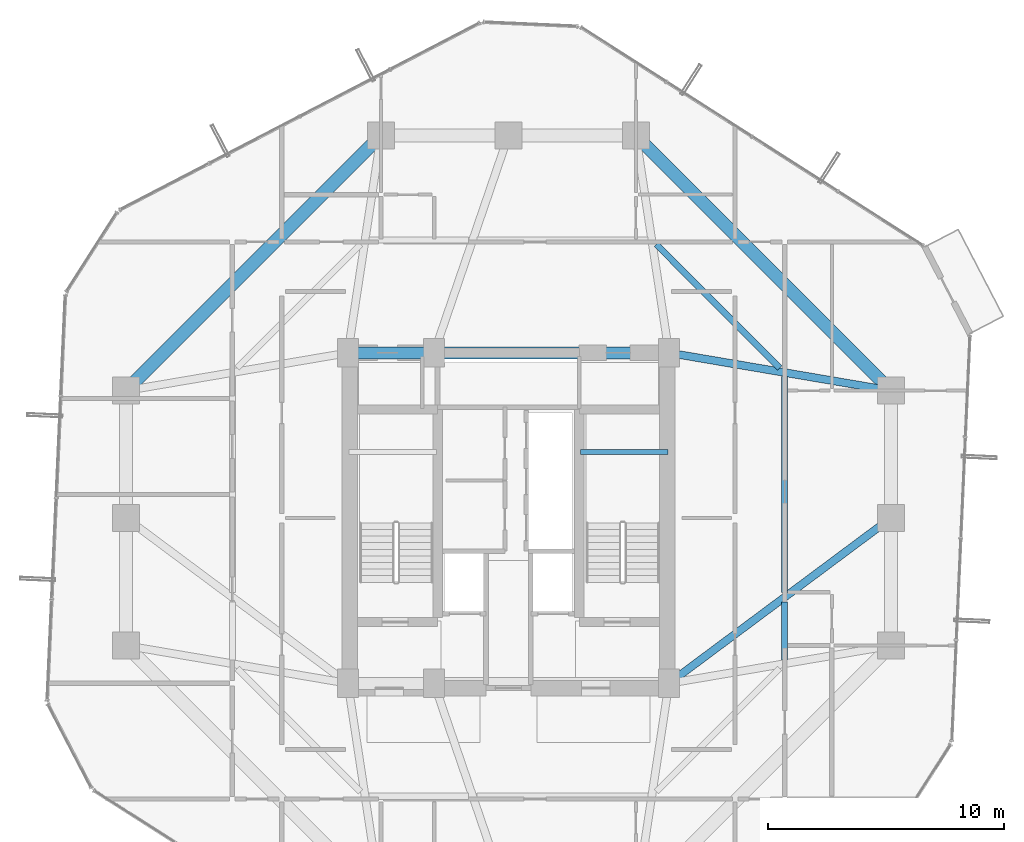
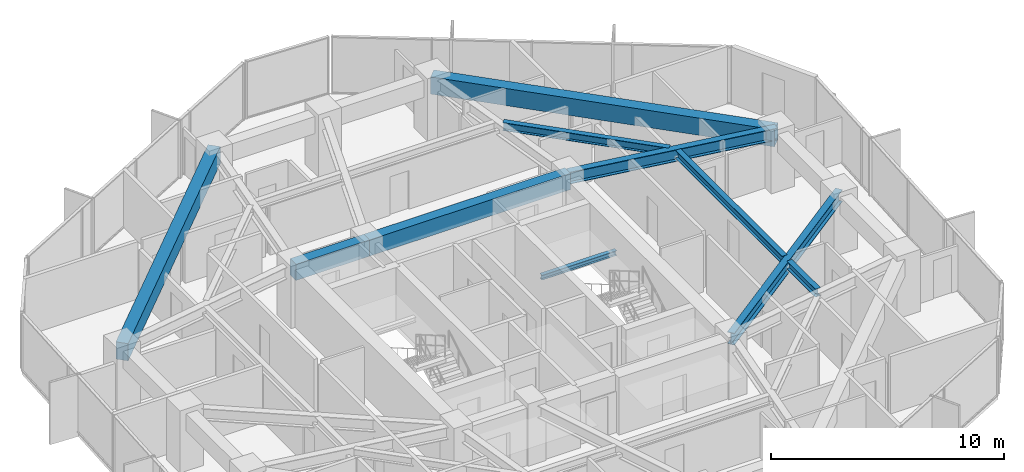
# One storey, part 11 of 30: 10 beams.
"""IFC4 building model written with IfcOpenShell, lengths in metres."""

from ifc_helpers import new_model, si_unit, direction, frame, origin, origin_2d, place, context, subcontext, project, spatial, rectangle, i_section, extrude, material, material_profile, profile_set, type_object, element, save


model = new_model("IFC4")

# Units and contexts
model_context = context("Model", 3, precision=1e-05, world=origin(), true_north=direction((0.0, 1.0)))
body_context = subcontext(model_context, "Body", "Model", "MODEL_VIEW")
ifc_project = project(units=[si_unit("LENGTHUNIT", "METRE"), si_unit("AREAUNIT", "SQUARE_METRE"), si_unit("VOLUMEUNIT", "CUBIC_METRE"), si_unit("PLANEANGLEUNIT", "RADIAN"), si_unit("MASSUNIT", "GRAM", prefix="KILO")], contexts=[model_context])

# Site, building, storey
site_placement = place(None, origin())
site = spatial("IfcSite", under=ifc_project, at=site_placement, CompositionType="ELEMENT")
building_placement = place(site_placement, origin())
building = spatial("IfcBuilding", under=site, at=building_placement, Name="Veraguas Prism Commons", CompositionType="ELEMENT")
storey_placement = place(building_placement, frame((0.0, 0.0, 119.75)))
storey = spatial("IfcBuildingStorey", under=building, at=storey_placement, Name="L33", CompositionType="ELEMENT", Elevation=119.75)

# Beams
ifc_material_1 = material(Name="Concrete C50/60", Category="concrete")
ifc_material_profile_1 = material_profile(ifc_material_1, rectangle(XDim=0.5, YDim=0.85009765625, at=origin_2d()), Name="RC500X850")
ifc_profile_set_1 = profile_set([ifc_material_profile_1], Name="Concrete C50/60")
beam_type_1 = type_object("IfcBeamType", Name="Core Coupling Beam RC 500x850", PredefinedType="BEAM", material=ifc_profile_set_1)
beam_1_placement = place(storey_placement, frame((17.199951171875, 31.0, 2.574951171875), z_axis=(1.0, 0.0, 0.0), x_axis=(0.0, 1.0, 0.0)))
element("IfcBeam", 1, at=beam_1_placement, inside=storey, type_object=beam_type_1, Name="Core Coupling Beam L33-CRN1", PredefinedType="BEAM", context=body_context, shape_type="SweptSolid", body=[
    extrude(rectangle(XDim=0.5, YDim=0.85009765625, at=origin_2d()), origin(), (0.0, 0.0, 1.0), 3.650146484375),
])
beam_2_placement = place(storey_placement, frame((20.85009765625, 31.0, 2.574951171875), z_axis=(1.0, 0.0, 0.0), x_axis=(0.0, 1.0, 0.0)))
element("IfcBeam", 2, at=beam_2_placement, inside=storey, type_object=beam_type_1, Name="Core Coupling Beam L33-CRN2", PredefinedType="BEAM", context=body_context, shape_type="SweptSolid", body=[
    extrude(rectangle(XDim=0.5, YDim=0.85009765625, at=origin_2d()), origin(), (0.0, 0.0, 1.0), 9.949951171875),
])
ifc_material_2 = material(Name="Steel ASTM A992 Grade 50", Category="steel")
ifc_material_profile_2 = material_profile(ifc_material_2, i_section(OverallWidth=0.260986328125, OverallDepth=0.419921875, WebThickness=0.01171875, FlangeThickness=0.019287109375, at=origin_2d()), Name="W410X114")
ifc_profile_set_2 = profile_set([ifc_material_profile_2], Name="Steel ASTM A992 Grade 50")
beam_type_2 = type_object("IfcBeamType", Name="Lower Floor Joist W410x114", PredefinedType="JOIST", material=ifc_profile_set_2)
beam_3_placement = place(storey_placement, frame((35.68798828125, 17.996337890625, 2.7900390625), z_axis=(0.0, 1.0, 0.0), x_axis=(-1.0, 0.0, 0.0)))
element("IfcBeam", 3, at=beam_3_placement, inside=storey, type_object=beam_type_2, Name="Composite Floor Joist L33-JS01", PredefinedType="JOIST", context=body_context, shape_type="SweptSolid", body=[
    extrude(i_section(OverallWidth=0.260986328125, OverallDepth=0.419921875, WebThickness=0.01171875, FlangeThickness=0.019287109375, at=origin_2d()), origin(), (0.0, 0.0, 1.0), 2.441650390625),
])
beam_4_placement = place(storey_placement, frame((35.68798828125, 20.842041015625, 2.7900390625), z_axis=(0.0, 1.0, 0.0), x_axis=(-1.0, 0.0, 0.0)))
element("IfcBeam", 4, at=beam_4_placement, inside=storey, type_object=beam_type_2, Name="Composite Floor Joist L33-JS02", PredefinedType="JOIST", context=body_context, shape_type="SweptSolid", body=[
    extrude(i_section(OverallWidth=0.260986328125, OverallDepth=0.419921875, WebThickness=0.01171875, FlangeThickness=0.019287109375, at=origin_2d()), origin(), (0.0, 0.0, 1.0), 9.16162109375),
])
beam_5_placement = place(storey_placement, frame((35.489990234375, 30.365966796875, 2.7900390625), z_axis=(-0.707090260193, 0.707123301794, 0.0), x_axis=(-0.707123301794, -0.707090260193, 0.0)))
element("IfcBeam", 5, at=beam_5_placement, inside=storey, type_object=beam_type_2, Name="Composite Floor Joist L33-JS03", PredefinedType="JOIST", context=body_context, shape_type="SweptSolid", body=[
    extrude(i_section(OverallWidth=0.260986328125, OverallDepth=0.419921875, WebThickness=0.01171875, FlangeThickness=0.019287109375, at=origin_2d()), origin(), (0.0, 0.0, 1.0), 7.388916015625),
])
ifc_material_profile_3 = material_profile(ifc_material_1, rectangle(XDim=0.550048828125, YDim=0.89990234375, at=origin_2d()), Name="RC550X900")
ifc_profile_set_3 = profile_set([ifc_material_profile_3], Name="Concrete C50/60")
beam_type_3 = type_object("IfcBeamType", Name="Perimeter Spandrel Lower RC 550x900", PredefinedType="SPANDREL", material=ifc_profile_set_3)
for number, where, z_axis, x_axis, name in (
    (6, (40.199951171875, 29.39990234375, 2.550048828125), (-0.707106781187, 0.707106781187, 0.0), (-0.707106781187, -0.707106781187, 0.0), "Perimeter Spandrel Beam L33-SP03"),
    (7, (18.60009765625, 40.199951171875, 2.550048828125), (-0.707106781187, -0.707106781187, 0.0), (0.707106781187, -0.707106781187, 0.0), "Perimeter Spandrel Beam L33-SP06"),
):
    element("IfcBeam", number, at=place(storey_placement, frame(where, z_axis=z_axis, x_axis=x_axis)), inside=storey, type_object=beam_type_3, Name=name, PredefinedType="SPANDREL", context=body_context, shape_type="SweptSolid", body=[
        extrude(rectangle(XDim=0.550048828125, YDim=0.89990234375, at=origin_2d()), origin(), (0.0, 0.0, 1.0), 15.273681640625),
    ])
ifc_material_profile_4 = material_profile(ifc_material_2, i_section(OverallWidth=0.202880859375, OverallDepth=0.251953125, WebThickness=0.008056640625, FlangeThickness=0.013427734375, at=origin_2d()), Name="W250X58")
ifc_profile_set_4 = profile_set([ifc_material_profile_4], Name="Steel ASTM A992 Grade 50")
beam_type_4 = type_object("IfcBeamType", Name="Structural Opening Lintel W250x58", PredefinedType="LINTEL", material=ifc_profile_set_4)
beam_6_placement = place(storey_placement, frame((27.050048828125, 26.800048828125, 1.299072265625), z_axis=(1.0, 0.0, 0.0), x_axis=(0.0, 1.0, 0.0)))
element("IfcBeam", 8, at=beam_6_placement, inside=storey, type_object=beam_type_4, Name="Stair ST-02 Half-Landing Support Beam L33-1", PredefinedType="LINTEL", context=body_context, shape_type="SweptSolid", body=[
    extrude(i_section(OverallWidth=0.202880859375, OverallDepth=0.251953125, WebThickness=0.008056640625, FlangeThickness=0.013427734375, at=origin_2d()), origin(), (0.0, 0.0, 1.0), 3.699951171875),
])
ifc_material_profile_5 = material_profile(ifc_material_2, i_section(OverallWidth=0.327880859375, OverallDepth=0.6220703125, WebThickness=0.015380859375, FlangeThickness=0.0244140625, at=origin_2d()), Name="W610X195")
ifc_profile_set_5 = profile_set([ifc_material_profile_5], Name="Steel ASTM A992 Grade 50")
beam_type_5 = type_object("IfcBeamType", Name="Zone 2 Radial Girder W610x195", PredefinedType="BEAM", material=ifc_profile_set_5)
beam_7_placement = place(storey_placement, frame((40.199951171875, 24.0, 2.68896484375), z_axis=(-0.802040137921, -0.597270137512, 0.0), x_axis=(0.597270137512, -0.802040137921, 0.0)))
element("IfcBeam", 9, at=beam_7_placement, inside=storey, type_object=beam_type_5, Name="Radial Floor Girder L33-RD02", PredefinedType="BEAM", context=body_context, shape_type="SweptSolid", body=[
    extrude(i_section(OverallWidth=0.327880859375, OverallDepth=0.6220703125, WebThickness=0.015380859375, FlangeThickness=0.0244140625, at=origin_2d()), origin(), (0.0, 0.0, 1.0), 11.719970703125),
])
beam_8_placement = place(storey_placement, frame((40.199951171875, 29.39990234375, 2.68896484375), z_axis=(-0.985819187151, 0.1678109956, 0.0), x_axis=(-0.1678109956, -0.985819187151, 0.0)))
element("IfcBeam", 10, at=beam_8_placement, inside=storey, type_object=beam_type_5, Name="Radial Floor Girder L33-RD03", PredefinedType="BEAM", context=body_context, shape_type="SweptSolid", body=[
    extrude(i_section(OverallWidth=0.327880859375, OverallDepth=0.6220703125, WebThickness=0.015380859375, FlangeThickness=0.0244140625, at=origin_2d()), origin(), (0.0, 0.0, 1.0), 9.53515625),
])

save(model, "model.ifc")
